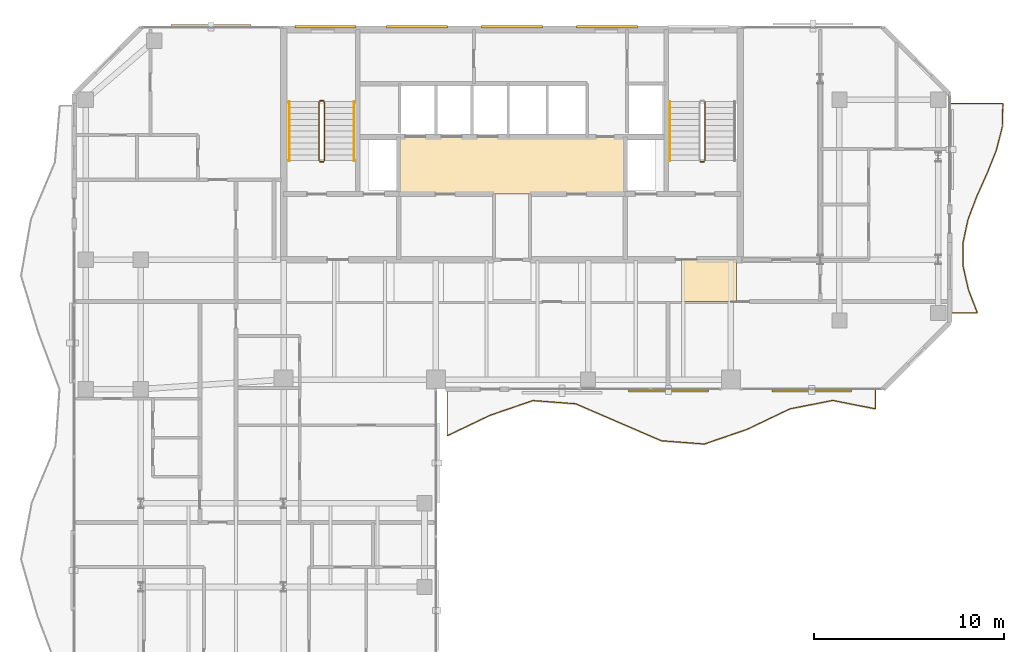
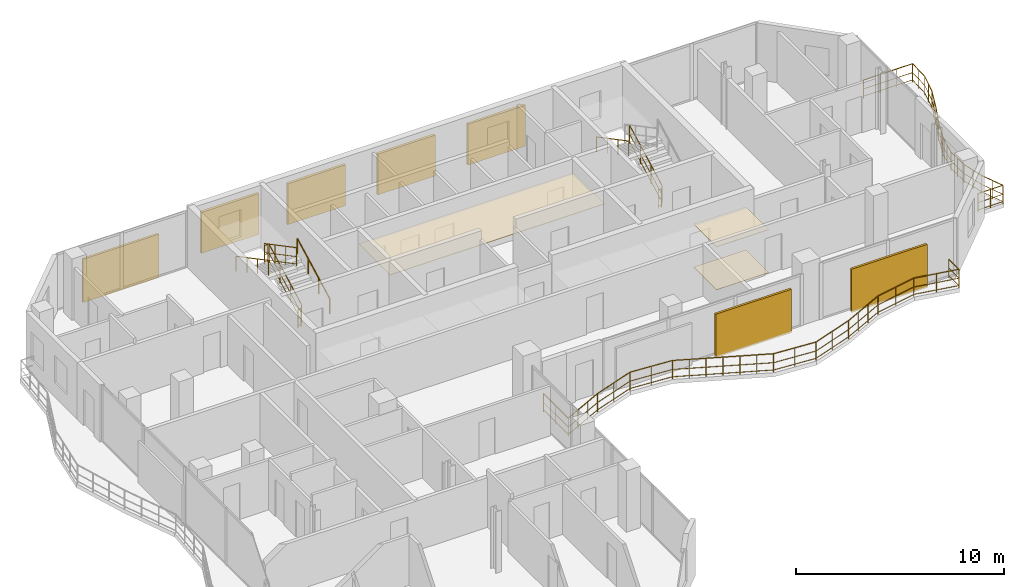
# One storey, part 22 of 23: 11 railings, 7 shading devices, 3 coverings.
"""IFC4 building model written with IfcOpenShell, lengths in metres."""

from ifc_helpers import new_model, si_unit, direction, frame, origin, origin_2d, place, context, subcontext, project, spatial, polyline, rectangle, circle, outline, extrude, material, layer, layer_set, type_object, element, save


model = new_model("IFC4")

# Units and contexts
model_context = context("Model", 3, precision=1e-05, world=origin(), true_north=direction((0.0, 1.0)))
body_context = subcontext(model_context, "Body", "Model", "MODEL_VIEW")
ifc_project = project(units=[si_unit("LENGTHUNIT", "METRE"), si_unit("AREAUNIT", "SQUARE_METRE"), si_unit("VOLUMEUNIT", "CUBIC_METRE"), si_unit("PLANEANGLEUNIT", "RADIAN"), si_unit("MASSUNIT", "GRAM", prefix="KILO")], contexts=[model_context])

# Site, building, storey
site_placement = place(None, origin())
site = spatial("IfcSite", under=ifc_project, at=site_placement, CompositionType="ELEMENT")
building_placement = place(site_placement, origin())
building = spatial("IfcBuilding", under=site, at=building_placement, Name="Catumbela Crestline Tower", CompositionType="ELEMENT")
storey_placement = place(building_placement, frame((0.0, 0.0, 168.6)))
storey = spatial("IfcBuildingStorey", under=building, at=storey_placement, Name="L43", CompositionType="ELEMENT", Elevation=168.6)

# Coverings
ifc_material_1 = material(Name="Mineral-fibre acoustic ceiling")
ifc_layer_1 = layer(ifc_material_1, 0.03, Name="Mineral-fibre acoustic ceiling")
ifc_layer_set_1 = layer_set([ifc_layer_1], Name="Mineral-fibre acoustic ceiling")
covering_type_1 = type_object("IfcCoveringType", Name="CC-AC", PredefinedType="CEILING", material=ifc_layer_set_1)
covering_1_placement = place(storey_placement, frame((0.0, 0.0, 2.65)))
element("IfcCovering", 1, at=covering_1_placement, inside=storey, type_object=covering_type_1, Name="L43 Lift Lobby Acoustic Ceiling", PredefinedType="CEILING", context=body_context, shape_type="SweptSolid", body=[
    extrude(outline(polyline([(22.05, 34.25), (33.95, 34.25), (33.95, 37.25), (22.05, 37.25), (22.05, 34.25)])), origin(), (0.0, 0.0, 1.0), 0.03),
])
covering_2_placement = place(storey_placement, frame((0.0, 0.0, 2.52)))
element("IfcCovering", 2, at=covering_2_placement, inside=storey, type_object=covering_type_1, Name="L43 Corridor Acoustic Ceiling Bay 8", PredefinedType="CEILING", context=body_context, shape_type="SweptSolid", body=[
    extrude(outline(polyline([(36.9, 28.6), (39.8, 28.6), (39.8, 30.8), (36.9, 30.8), (36.9, 28.6)])), origin(), (0.0, 0.0, 1.0), 0.03),
])
ifc_material_2 = material(Name="Angolan grey-ochre granite", Category="masonry")
ifc_layer_2 = layer(ifc_material_2, 0.025, Name="Angolan grey-ochre granite")
ifc_layer_set_2 = layer_set([ifc_layer_2], Name="Angolan grey-ochre granite")
covering_type_2 = type_object("IfcCoveringType", Name="CF-GR", PredefinedType="FLOORING", material=ifc_layer_set_2)
covering_3_placement = place(storey_placement, origin())
element("IfcCovering", 3, at=covering_3_placement, inside=storey, type_object=covering_type_2, Name="L43 Corridor Granite Flooring Bay 8", PredefinedType="FLOORING", context=body_context, shape_type="SweptSolid", body=[
    extrude(outline(polyline([(36.9, 28.6), (39.8, 28.6), (39.8, 30.8), (36.9, 30.8), (36.9, 28.6)])), origin(), (0.0, 0.0, 1.0), 0.025),
])

# Railings
ifc_material_3 = material(Name="Stainless steel EN 1.4401", Category="steel")
railing_type_1 = type_object("IfcRailingType", Name="RB-1100", PredefinedType="BALUSTRADE", material=ifc_material_3)
railing_1_placement = place(storey_placement, frame((24.6, 23.94, 0.0)))
element("IfcRailing", 4, at=railing_1_placement, inside=storey, type_object=railing_type_1, Name="L43 Private Wave Balcony Balustrade 1", PredefinedType="BALUSTRADE", context=body_context, shape_type="SweptSolid", body=[
    extrude(circle(Radius=0.024, at=origin_2d()), frame((0.0, 0.0, 1.076), z_axis=(0.0, -1.0, 0.0), x_axis=(1.0, 0.0, 0.0)), (0.0, 0.0, 1.0), 2.3853),
    extrude(circle(Radius=0.0156, at=origin_2d()), frame((0.0, 0.0, 0.55), z_axis=(0.0, -1.0, 0.0), x_axis=(1.0, 0.0, 0.0)), (0.0, 0.0, 1.0), 2.3853),
    extrude(circle(Radius=0.0156, at=origin_2d()), frame((0.0, 0.0, 0.12), z_axis=(0.0, -1.0, 0.0), x_axis=(1.0, 0.0, 0.0)), (0.0, 0.0, 1.0), 2.3853),
    extrude(circle(Radius=0.024, at=origin_2d()), frame((0.0, -2.3853, 1.076), z_axis=(0.902132186045, 0.431459753513, 0.0), x_axis=(-0.431459753513, 0.902132186045, 0.0)), (0.0, 0.0, 1.0), 2.4941),
    extrude(circle(Radius=0.0156, at=origin_2d()), frame((0.0, -2.3853, 0.55), z_axis=(0.902132186045, 0.431459753513, 0.0), x_axis=(-0.431459753513, 0.902132186045, 0.0)), (0.0, 0.0, 1.0), 2.4941),
    extrude(circle(Radius=0.0156, at=origin_2d()), frame((0.0, -2.3853, 0.12), z_axis=(0.902132186045, 0.431459753513, 0.0), x_axis=(-0.431459753513, 0.902132186045, 0.0)), (0.0, 0.0, 1.0), 2.4941),
    extrude(circle(Radius=0.024, at=origin_2d()), frame((2.25, -1.3092, 1.076), z_axis=(0.946065665735, 0.323974931311, 0.0), x_axis=(-0.323974931311, 0.946065665735, 0.0)), (0.0, 0.0, 1.0), 2.3783),
    extrude(circle(Radius=0.0156, at=origin_2d()), frame((2.25, -1.3092, 0.55), z_axis=(0.946065665735, 0.323974931311, 0.0), x_axis=(-0.323974931311, 0.946065665735, 0.0)), (0.0, 0.0, 1.0), 2.3783),
    extrude(circle(Radius=0.0156, at=origin_2d()), frame((2.25, -1.3092, 0.12), z_axis=(0.946065665735, 0.323974931311, 0.0), x_axis=(-0.323974931311, 0.946065665735, 0.0)), (0.0, 0.0, 1.0), 2.3783),
    extrude(circle(Radius=0.024, at=origin_2d()), frame((4.5, -0.5387, 1.076), z_axis=(0.997141170455, -0.075561142028, 0.0), x_axis=(0.075561142028, 0.997141170455, 0.0)), (0.0, 0.0, 1.0), 2.2565),
    extrude(circle(Radius=0.0156, at=origin_2d()), frame((4.5, -0.5387, 0.55), z_axis=(0.997141170455, -0.075561142028, 0.0), x_axis=(0.075561142028, 0.997141170455, 0.0)), (0.0, 0.0, 1.0), 2.2565),
    extrude(circle(Radius=0.0156, at=origin_2d()), frame((4.5, -0.5387, 0.12), z_axis=(0.997141170455, -0.075561142028, 0.0), x_axis=(0.075561142028, 0.997141170455, 0.0)), (0.0, 0.0, 1.0), 2.2565),
    extrude(circle(Radius=0.024, at=origin_2d()), frame((6.75, -0.7092, 1.076), z_axis=(0.918179780553, -0.396163969316, 0.0), x_axis=(0.396163969316, 0.918179780553, 0.0)), (0.0, 0.0, 1.0), 2.4505),
    extrude(circle(Radius=0.0156, at=origin_2d()), frame((6.75, -0.7092, 0.55), z_axis=(0.918179780553, -0.396163969316, 0.0), x_axis=(0.396163969316, 0.918179780553, 0.0)), (0.0, 0.0, 1.0), 2.4505),
    extrude(circle(Radius=0.0156, at=origin_2d()), frame((6.75, -0.7092, 0.12), z_axis=(0.918179780553, -0.396163969316, 0.0), x_axis=(0.396163969316, 0.918179780553, 0.0)), (0.0, 0.0, 1.0), 2.4505),
    extrude(circle(Radius=0.024, at=origin_2d()), frame((9.0, -1.68, 1.076), z_axis=(0.918179780553, -0.396163969316, 0.0), x_axis=(0.396163969316, 0.918179780553, 0.0)), (0.0, 0.0, 1.0), 2.4505),
    extrude(circle(Radius=0.0156, at=origin_2d()), frame((9.0, -1.68, 0.55), z_axis=(0.918179780553, -0.396163969316, 0.0), x_axis=(0.396163969316, 0.918179780553, 0.0)), (0.0, 0.0, 1.0), 2.4505),
    extrude(circle(Radius=0.0156, at=origin_2d()), frame((9.0, -1.68, 0.12), z_axis=(0.918179780553, -0.396163969316, 0.0), x_axis=(0.396163969316, 0.918179780553, 0.0)), (0.0, 0.0, 1.0), 2.4505),
    extrude(circle(Radius=0.024, at=origin_2d()), frame((11.25, -2.6508, 1.076), z_axis=(0.997141170455, -0.075561142028, 0.0), x_axis=(0.075561142028, 0.997141170455, 0.0)), (0.0, 0.0, 1.0), 2.2565),
    extrude(circle(Radius=0.0156, at=origin_2d()), frame((11.25, -2.6508, 0.55), z_axis=(0.997141170455, -0.075561142028, 0.0), x_axis=(0.075561142028, 0.997141170455, 0.0)), (0.0, 0.0, 1.0), 2.2565),
    extrude(circle(Radius=0.0156, at=origin_2d()), frame((11.25, -2.6508, 0.12), z_axis=(0.997141170455, -0.075561142028, 0.0), x_axis=(0.075561142028, 0.997141170455, 0.0)), (0.0, 0.0, 1.0), 2.2565),
    extrude(circle(Radius=0.024, at=origin_2d()), frame((13.5, -2.8213, 1.076), z_axis=(0.946065665735, 0.323974931311, 0.0), x_axis=(-0.323974931311, 0.946065665735, 0.0)), (0.0, 0.0, 1.0), 2.3783),
    extrude(circle(Radius=0.0156, at=origin_2d()), frame((13.5, -2.8213, 0.55), z_axis=(0.946065665735, 0.323974931311, 0.0), x_axis=(-0.323974931311, 0.946065665735, 0.0)), (0.0, 0.0, 1.0), 2.3783),
    extrude(circle(Radius=0.0156, at=origin_2d()), frame((13.5, -2.8213, 0.12), z_axis=(0.946065665735, 0.323974931311, 0.0), x_axis=(-0.323974931311, 0.946065665735, 0.0)), (0.0, 0.0, 1.0), 2.3783),
    extrude(circle(Radius=0.024, at=origin_2d()), frame((15.75, -2.0508, 1.076), z_axis=(0.902132186045, 0.431459753513, 0.0), x_axis=(-0.431459753513, 0.902132186045, 0.0)), (0.0, 0.0, 1.0), 2.4941),
    extrude(circle(Radius=0.0156, at=origin_2d()), frame((15.75, -2.0508, 0.55), z_axis=(0.902132186045, 0.431459753513, 0.0), x_axis=(-0.431459753513, 0.902132186045, 0.0)), (0.0, 0.0, 1.0), 2.4941),
    extrude(circle(Radius=0.0156, at=origin_2d()), frame((15.75, -2.0508, 0.12), z_axis=(0.902132186045, 0.431459753513, 0.0), x_axis=(-0.431459753513, 0.902132186045, 0.0)), (0.0, 0.0, 1.0), 2.4941),
    extrude(circle(Radius=0.024, at=origin_2d()), frame((18.0, -0.9747, 1.076), z_axis=(0.981022553047, 0.193893657484, 0.0), x_axis=(-0.193893657484, 0.981022553047, 0.0)), (0.0, 0.0, 1.0), 2.2935),
    extrude(circle(Radius=0.0156, at=origin_2d()), frame((18.0, -0.9747, 0.55), z_axis=(0.981022553047, 0.193893657484, 0.0), x_axis=(-0.193893657484, 0.981022553047, 0.0)), (0.0, 0.0, 1.0), 2.2935),
    extrude(circle(Radius=0.0156, at=origin_2d()), frame((18.0, -0.9747, 0.12), z_axis=(0.981022553047, 0.193893657484, 0.0), x_axis=(-0.193893657484, 0.981022553047, 0.0)), (0.0, 0.0, 1.0), 2.2935),
    extrude(circle(Radius=0.024, at=origin_2d()), frame((20.25, -0.53, 1.076), z_axis=(0.981022553047, -0.193893657484, 0.0), x_axis=(0.193893657484, 0.981022553047, 0.0)), (0.0, 0.0, 1.0), 2.2935),
    extrude(circle(Radius=0.0156, at=origin_2d()), frame((20.25, -0.53, 0.55), z_axis=(0.981022553047, -0.193893657484, 0.0), x_axis=(0.193893657484, 0.981022553047, 0.0)), (0.0, 0.0, 1.0), 2.2935),
    extrude(circle(Radius=0.0156, at=origin_2d()), frame((20.25, -0.53, 0.12), z_axis=(0.981022553047, -0.193893657484, 0.0), x_axis=(0.193893657484, 0.981022553047, 0.0)), (0.0, 0.0, 1.0), 2.2935),
    extrude(circle(Radius=0.024, at=origin_2d()), frame((22.5, -0.9747, 1.076), z_axis=(0.0, 1.0, 0.0), x_axis=(-1.0, 0.0, 0.0)), (0.0, 0.0, 1.0), 0.9747),
    extrude(circle(Radius=0.0156, at=origin_2d()), frame((22.5, -0.9747, 0.55), z_axis=(0.0, 1.0, 0.0), x_axis=(-1.0, 0.0, 0.0)), (0.0, 0.0, 1.0), 0.9747),
    extrude(circle(Radius=0.0156, at=origin_2d()), frame((22.5, -0.9747, 0.12), z_axis=(0.0, 1.0, 0.0), x_axis=(-1.0, 0.0, 0.0)), (0.0, 0.0, 1.0), 0.9747),
    extrude(circle(Radius=0.021, at=origin_2d()), origin(), (0.0, 0.0, 1.0), 1.052),
    extrude(circle(Radius=0.021, at=origin_2d()), frame((0.0, -1.1927, 0.0)), (0.0, 0.0, 1.0), 1.052),
    extrude(circle(Radius=0.021, at=origin_2d()), frame((0.0, -2.3853, 0.0)), (0.0, 0.0, 1.0), 1.052),
    extrude(circle(Radius=0.021, at=origin_2d()), frame((0.75, -2.0266, 0.0)), (0.0, 0.0, 1.0), 1.052),
    extrude(circle(Radius=0.021, at=origin_2d()), frame((1.5, -1.6679, 0.0)), (0.0, 0.0, 1.0), 1.052),
    extrude(circle(Radius=0.021, at=origin_2d()), frame((2.25, -1.3092, 0.0)), (0.0, 0.0, 1.0), 1.052),
    extrude(circle(Radius=0.021, at=origin_2d()), frame((3.375, -0.924, 0.0)), (0.0, 0.0, 1.0), 1.052),
    extrude(circle(Radius=0.021, at=origin_2d()), frame((4.5, -0.5387, 0.0)), (0.0, 0.0, 1.0), 1.052),
    extrude(circle(Radius=0.021, at=origin_2d()), frame((5.625, -0.624, 0.0)), (0.0, 0.0, 1.0), 1.052),
    extrude(circle(Radius=0.021, at=origin_2d()), frame((6.75, -0.7092, 0.0)), (0.0, 0.0, 1.0), 1.052),
    extrude(circle(Radius=0.021, at=origin_2d()), frame((7.5, -1.0328, 0.0)), (0.0, 0.0, 1.0), 1.052),
    extrude(circle(Radius=0.021, at=origin_2d()), frame((8.25, -1.3564, 0.0)), (0.0, 0.0, 1.0), 1.052),
    extrude(circle(Radius=0.021, at=origin_2d()), frame((9.0, -1.68, 0.0)), (0.0, 0.0, 1.0), 1.052),
    extrude(circle(Radius=0.021, at=origin_2d()), frame((9.75, -2.0036, 0.0)), (0.0, 0.0, 1.0), 1.052),
    extrude(circle(Radius=0.021, at=origin_2d()), frame((10.5, -2.3272, 0.0)), (0.0, 0.0, 1.0), 1.052),
    extrude(circle(Radius=0.021, at=origin_2d()), frame((11.25, -2.6508, 0.0)), (0.0, 0.0, 1.0), 1.052),
    extrude(circle(Radius=0.021, at=origin_2d()), frame((12.375, -2.7361, 0.0)), (0.0, 0.0, 1.0), 1.052),
    extrude(circle(Radius=0.021, at=origin_2d()), frame((13.5, -2.8213, 0.0)), (0.0, 0.0, 1.0), 1.052),
    extrude(circle(Radius=0.021, at=origin_2d()), frame((14.625, -2.4361, 0.0)), (0.0, 0.0, 1.0), 1.052),
    extrude(circle(Radius=0.021, at=origin_2d()), frame((15.75, -2.0508, 0.0)), (0.0, 0.0, 1.0), 1.052),
    extrude(circle(Radius=0.021, at=origin_2d()), frame((16.5, -1.6921, 0.0)), (0.0, 0.0, 1.0), 1.052),
    extrude(circle(Radius=0.021, at=origin_2d()), frame((17.25, -1.3334, 0.0)), (0.0, 0.0, 1.0), 1.052),
    extrude(circle(Radius=0.021, at=origin_2d()), frame((18.0, -0.9747, 0.0)), (0.0, 0.0, 1.0), 1.052),
    extrude(circle(Radius=0.021, at=origin_2d()), frame((19.125, -0.7524, 0.0)), (0.0, 0.0, 1.0), 1.052),
    extrude(circle(Radius=0.021, at=origin_2d()), frame((20.25, -0.53, 0.0)), (0.0, 0.0, 1.0), 1.052),
    extrude(circle(Radius=0.021, at=origin_2d()), frame((21.375, -0.7524, 0.0)), (0.0, 0.0, 1.0), 1.052),
    extrude(circle(Radius=0.021, at=origin_2d()), frame((22.5, -0.9747, 0.0)), (0.0, 0.0, 1.0), 1.052),
    extrude(circle(Radius=0.021, at=origin_2d()), frame((22.5, 0.0, 0.0)), (0.0, 0.0, 1.0), 1.052),
])
railing_2_placement = place(storey_placement, frame((51.06, 28.0, 0.0)))
element("IfcRailing", 5, at=railing_2_placement, inside=storey, type_object=railing_type_1, Name="L43 Private Wave Balcony Balustrade 2", PredefinedType="BALUSTRADE", context=body_context, shape_type="SweptSolid", body=[
    extrude(circle(Radius=0.024, at=origin_2d()), frame((0.0, 0.0, 1.076), z_axis=(1.0, 0.0, 0.0), x_axis=(0.0, 1.0, 0.0)), (0.0, 0.0, 1.0), 1.3902),
    extrude(circle(Radius=0.0156, at=origin_2d()), frame((0.0, 0.0, 0.55), z_axis=(1.0, 0.0, 0.0), x_axis=(0.0, 1.0, 0.0)), (0.0, 0.0, 1.0), 1.3902),
    extrude(circle(Radius=0.0156, at=origin_2d()), frame((0.0, 0.0, 0.12), z_axis=(1.0, 0.0, 0.0), x_axis=(0.0, 1.0, 0.0)), (0.0, 0.0, 1.0), 1.3902),
    extrude(circle(Radius=0.024, at=origin_2d()), frame((1.3902, 0.0, 1.076), z_axis=(-0.360589425238, 0.932724646617, 0.0), x_axis=(-0.932724646617, -0.360589425238, 0.0)), (0.0, 0.0, 1.0), 1.3104),
    extrude(circle(Radius=0.0156, at=origin_2d()), frame((1.3902, 0.0, 0.55), z_axis=(-0.360589425238, 0.932724646617, 0.0), x_axis=(-0.932724646617, -0.360589425238, 0.0)), (0.0, 0.0, 1.0), 1.3104),
    extrude(circle(Radius=0.0156, at=origin_2d()), frame((1.3902, 0.0, 0.12), z_axis=(-0.360589425238, 0.932724646617, 0.0), x_axis=(-0.932724646617, -0.360589425238, 0.0)), (0.0, 0.0, 1.0), 1.3104),
    extrude(circle(Radius=0.024, at=origin_2d()), frame((0.9177, 1.2222, 1.076), z_axis=(-0.221110639071, 0.975248729961, 0.0), x_axis=(-0.975248729961, -0.221110639071, 0.0)), (0.0, 0.0, 1.0), 1.2532),
    extrude(circle(Radius=0.0156, at=origin_2d()), frame((0.9177, 1.2222, 0.55), z_axis=(-0.221110639071, 0.975248729961, 0.0), x_axis=(-0.975248729961, -0.221110639071, 0.0)), (0.0, 0.0, 1.0), 1.2532),
    extrude(circle(Radius=0.0156, at=origin_2d()), frame((0.9177, 1.2222, 0.12), z_axis=(-0.221110639071, 0.975248729961, 0.0), x_axis=(-0.975248729961, -0.221110639071, 0.0)), (0.0, 0.0, 1.0), 1.2532),
    extrude(circle(Radius=0.024, at=origin_2d()), frame((0.6406, 2.4444, 1.076), z_axis=(-0.008590045489, 0.999963104879, 0.0), x_axis=(-0.999963104879, -0.008590045489, 0.0)), (0.0, 0.0, 1.0), 1.2223),
    extrude(circle(Radius=0.0156, at=origin_2d()), frame((0.6406, 2.4444, 0.55), z_axis=(-0.008590045489, 0.999963104879, 0.0), x_axis=(-0.999963104879, -0.008590045489, 0.0)), (0.0, 0.0, 1.0), 1.2223),
    extrude(circle(Radius=0.0156, at=origin_2d()), frame((0.6406, 2.4444, 0.12), z_axis=(-0.008590045489, 0.999963104879, 0.0), x_axis=(-0.999963104879, -0.008590045489, 0.0)), (0.0, 0.0, 1.0), 1.2223),
    extrude(circle(Radius=0.024, at=origin_2d()), frame((0.6301, 3.6667, 1.076), z_axis=(0.207079409578, 0.978324137558, 0.0), x_axis=(-0.978324137558, 0.207079409578, 0.0)), (0.0, 0.0, 1.0), 1.2493),
    extrude(circle(Radius=0.0156, at=origin_2d()), frame((0.6301, 3.6667, 0.55), z_axis=(0.207079409578, 0.978324137558, 0.0), x_axis=(-0.978324137558, 0.207079409578, 0.0)), (0.0, 0.0, 1.0), 1.2493),
    extrude(circle(Radius=0.0156, at=origin_2d()), frame((0.6301, 3.6667, 0.12), z_axis=(0.207079409578, 0.978324137558, 0.0), x_axis=(-0.978324137558, 0.207079409578, 0.0)), (0.0, 0.0, 1.0), 1.2493),
    extrude(circle(Radius=0.024, at=origin_2d()), frame((0.8888, 4.8889, 1.076), z_axis=(0.353320187864, 0.935502455821, 0.0), x_axis=(-0.935502455821, 0.353320187864, 0.0)), (0.0, 0.0, 1.0), 1.3065),
    extrude(circle(Radius=0.0156, at=origin_2d()), frame((0.8888, 4.8889, 0.55), z_axis=(0.353320187864, 0.935502455821, 0.0), x_axis=(-0.935502455821, 0.353320187864, 0.0)), (0.0, 0.0, 1.0), 1.3065),
    extrude(circle(Radius=0.0156, at=origin_2d()), frame((0.8888, 4.8889, 0.12), z_axis=(0.353320187864, 0.935502455821, 0.0), x_axis=(-0.935502455821, 0.353320187864, 0.0)), (0.0, 0.0, 1.0), 1.3065),
    extrude(circle(Radius=0.024, at=origin_2d()), frame((1.3504, 6.1111, 1.076), z_axis=(0.407946686681, 0.913005750708, 0.0), x_axis=(-0.913005750708, 0.407946686681, 0.0)), (0.0, 0.0, 1.0), 1.3387),
    extrude(circle(Radius=0.0156, at=origin_2d()), frame((1.3504, 6.1111, 0.55), z_axis=(0.407946686681, 0.913005750708, 0.0), x_axis=(-0.913005750708, 0.407946686681, 0.0)), (0.0, 0.0, 1.0), 1.3387),
    extrude(circle(Radius=0.0156, at=origin_2d()), frame((1.3504, 6.1111, 0.12), z_axis=(0.407946686681, 0.913005750708, 0.0), x_axis=(-0.913005750708, 0.407946686681, 0.0)), (0.0, 0.0, 1.0), 1.3387),
    extrude(circle(Radius=0.024, at=origin_2d()), frame((1.8965, 7.3333, 1.076), z_axis=(0.372490025176, 0.928036196031, 0.0), x_axis=(-0.928036196031, 0.372490025176, 0.0)), (0.0, 0.0, 1.0), 1.3171),
    extrude(circle(Radius=0.0156, at=origin_2d()), frame((1.8965, 7.3333, 0.55), z_axis=(0.372490025176, 0.928036196031, 0.0), x_axis=(-0.928036196031, 0.372490025176, 0.0)), (0.0, 0.0, 1.0), 1.3171),
    extrude(circle(Radius=0.0156, at=origin_2d()), frame((1.8965, 7.3333, 0.12), z_axis=(0.372490025176, 0.928036196031, 0.0), x_axis=(-0.928036196031, 0.372490025176, 0.0)), (0.0, 0.0, 1.0), 1.3171),
    extrude(circle(Radius=0.024, at=origin_2d()), frame((2.3871, 8.5556, 1.076), z_axis=(0.245334114458, 0.969438586133, 0.0), x_axis=(-0.969438586133, 0.245334114458, 0.0)), (0.0, 0.0, 1.0), 1.2607),
    extrude(circle(Radius=0.0156, at=origin_2d()), frame((2.3871, 8.5556, 0.55), z_axis=(0.245334114458, 0.969438586133, 0.0), x_axis=(-0.969438586133, 0.245334114458, 0.0)), (0.0, 0.0, 1.0), 1.2607),
    extrude(circle(Radius=0.0156, at=origin_2d()), frame((2.3871, 8.5556, 0.12), z_axis=(0.245334114458, 0.969438586133, 0.0), x_axis=(-0.969438586133, 0.245334114458, 0.0)), (0.0, 0.0, 1.0), 1.2607),
    extrude(circle(Radius=0.024, at=origin_2d()), frame((2.6964, 9.7778, 1.076), z_axis=(0.027481026125, 0.999622325282, 0.0), x_axis=(-0.999622325282, 0.027481026125, 0.0)), (0.0, 0.0, 1.0), 1.2227),
    extrude(circle(Radius=0.0156, at=origin_2d()), frame((2.6964, 9.7778, 0.55), z_axis=(0.027481026125, 0.999622325282, 0.0), x_axis=(-0.999622325282, 0.027481026125, 0.0)), (0.0, 0.0, 1.0), 1.2227),
    extrude(circle(Radius=0.0156, at=origin_2d()), frame((2.6964, 9.7778, 0.12), z_axis=(0.027481026125, 0.999622325282, 0.0), x_axis=(-0.999622325282, 0.027481026125, 0.0)), (0.0, 0.0, 1.0), 1.2227),
    extrude(circle(Radius=0.024, at=origin_2d()), frame((2.73, 11.0, 1.076), z_axis=(-1.0, 0.0, 0.0), x_axis=(0.0, -1.0, 0.0)), (0.0, 0.0, 1.0), 2.73),
    extrude(circle(Radius=0.0156, at=origin_2d()), frame((2.73, 11.0, 0.55), z_axis=(-1.0, 0.0, 0.0), x_axis=(0.0, -1.0, 0.0)), (0.0, 0.0, 1.0), 2.73),
    extrude(circle(Radius=0.0156, at=origin_2d()), frame((2.73, 11.0, 0.12), z_axis=(-1.0, 0.0, 0.0), x_axis=(0.0, -1.0, 0.0)), (0.0, 0.0, 1.0), 2.73),
    extrude(circle(Radius=0.021, at=origin_2d()), origin(), (0.0, 0.0, 1.0), 1.052),
    extrude(circle(Radius=0.021, at=origin_2d()), frame((0.6951, 0.0, 0.0)), (0.0, 0.0, 1.0), 1.052),
    extrude(circle(Radius=0.021, at=origin_2d()), frame((1.3902, 0.0, 0.0)), (0.0, 0.0, 1.0), 1.052),
    extrude(circle(Radius=0.021, at=origin_2d()), frame((1.1539, 0.6111, 0.0)), (0.0, 0.0, 1.0), 1.052),
    extrude(circle(Radius=0.021, at=origin_2d()), frame((0.9177, 1.2222, 0.0)), (0.0, 0.0, 1.0), 1.052),
    extrude(circle(Radius=0.021, at=origin_2d()), frame((0.7791, 1.8333, 0.0)), (0.0, 0.0, 1.0), 1.052),
    extrude(circle(Radius=0.021, at=origin_2d()), frame((0.6406, 2.4444, 0.0)), (0.0, 0.0, 1.0), 1.052),
    extrude(circle(Radius=0.021, at=origin_2d()), frame((0.6353, 3.0556, 0.0)), (0.0, 0.0, 1.0), 1.052),
    extrude(circle(Radius=0.021, at=origin_2d()), frame((0.6301, 3.6667, 0.0)), (0.0, 0.0, 1.0), 1.052),
    extrude(circle(Radius=0.021, at=origin_2d()), frame((0.7594, 4.2778, 0.0)), (0.0, 0.0, 1.0), 1.052),
    extrude(circle(Radius=0.021, at=origin_2d()), frame((0.8888, 4.8889, 0.0)), (0.0, 0.0, 1.0), 1.052),
    extrude(circle(Radius=0.021, at=origin_2d()), frame((1.1196, 5.5, 0.0)), (0.0, 0.0, 1.0), 1.052),
    extrude(circle(Radius=0.021, at=origin_2d()), frame((1.3504, 6.1111, 0.0)), (0.0, 0.0, 1.0), 1.052),
    extrude(circle(Radius=0.021, at=origin_2d()), frame((1.6234, 6.7222, 0.0)), (0.0, 0.0, 1.0), 1.052),
    extrude(circle(Radius=0.021, at=origin_2d()), frame((1.8965, 7.3333, 0.0)), (0.0, 0.0, 1.0), 1.052),
    extrude(circle(Radius=0.021, at=origin_2d()), frame((2.1418, 7.9444, 0.0)), (0.0, 0.0, 1.0), 1.052),
    extrude(circle(Radius=0.021, at=origin_2d()), frame((2.3871, 8.5556, 0.0)), (0.0, 0.0, 1.0), 1.052),
    extrude(circle(Radius=0.021, at=origin_2d()), frame((2.5417, 9.1667, 0.0)), (0.0, 0.0, 1.0), 1.052),
    extrude(circle(Radius=0.021, at=origin_2d()), frame((2.6964, 9.7778, 0.0)), (0.0, 0.0, 1.0), 1.052),
    extrude(circle(Radius=0.021, at=origin_2d()), frame((2.7132, 10.3889, 0.0)), (0.0, 0.0, 1.0), 1.052),
    extrude(circle(Radius=0.021, at=origin_2d()), frame((2.73, 11.0, 0.0)), (0.0, 0.0, 1.0), 1.052),
    extrude(circle(Radius=0.021, at=origin_2d()), frame((1.82, 11.0, 0.0)), (0.0, 0.0, 1.0), 1.052),
    extrude(circle(Radius=0.021, at=origin_2d()), frame((0.91, 11.0, 0.0)), (0.0, 0.0, 1.0), 1.052),
    extrude(circle(Radius=0.021, at=origin_2d()), frame((0.0, 11.0, 0.0)), (0.0, 0.0, 1.0), 1.052),
])
railing_type_2 = type_object("IfcRailingType", Name="RG-1100", PredefinedType="GUARDRAIL", material=ifc_material_3)
railing_3_placement = place(storey_placement, frame((18.14, 36.0, 0.1636)))
element("IfcRailing", 6, at=railing_3_placement, inside=storey, type_object=railing_type_2, Name="L43 ST-01 stair guard 1", PredefinedType="GUARDRAIL", context=body_context, shape_type="SweptSolid", body=[
    extrude(circle(Radius=0.024, at=origin_2d()), frame((0.0, 0.0, 1.076), z_axis=(0.0, 0.884350731049, 0.466823076222), x_axis=(-1.0, 0.0, 0.0)), (0.0, 0.0, 1.0), 3.5054),
    extrude(circle(Radius=0.0156, at=origin_2d()), frame((0.0, 0.0, 0.55), z_axis=(0.0, 0.884350731049, 0.466823076222), x_axis=(-1.0, 0.0, 0.0)), (0.0, 0.0, 1.0), 3.5054),
    extrude(circle(Radius=0.0156, at=origin_2d()), frame((0.0, 0.0, 0.12), z_axis=(0.0, 0.884350731049, 0.466823076222), x_axis=(-1.0, 0.0, 0.0)), (0.0, 0.0, 1.0), 3.5054),
    extrude(circle(Radius=0.021, at=origin_2d()), origin(), (0.0, 0.0, 1.0), 1.052),
    extrude(circle(Radius=0.021, at=origin_2d()), frame((0.0, 1.0333, 0.5455)), (0.0, 0.0, 1.0), 1.052),
    extrude(circle(Radius=0.021, at=origin_2d()), frame((0.0, 2.0667, 1.0909)), (0.0, 0.0, 1.0), 1.052),
    extrude(circle(Radius=0.021, at=origin_2d()), frame((0.0, 3.1, 1.6364)), (0.0, 0.0, 1.0), 1.052),
])
railing_4_placement = place(storey_placement, frame((18.09, 39.15, 1.8)))
element("IfcRailing", 7, at=railing_4_placement, inside=storey, type_object=railing_type_2, Name="L43 ST-01 stair guard 2", PredefinedType="GUARDRAIL", context=body_context, shape_type="SweptSolid", body=[
    extrude(circle(Radius=0.024, at=origin_2d()), frame((0.0, 0.0, 1.076), z_axis=(-1.0, 0.0, 0.0), x_axis=(0.0, -1.0, 0.0)), (0.0, 0.0, 1.0), 0.18),
    extrude(circle(Radius=0.0156, at=origin_2d()), frame((0.0, 0.0, 0.55), z_axis=(-1.0, 0.0, 0.0), x_axis=(0.0, -1.0, 0.0)), (0.0, 0.0, 1.0), 0.18),
    extrude(circle(Radius=0.0156, at=origin_2d()), frame((0.0, 0.0, 0.12), z_axis=(-1.0, 0.0, 0.0), x_axis=(0.0, -1.0, 0.0)), (0.0, 0.0, 1.0), 0.18),
    extrude(circle(Radius=0.021, at=origin_2d()), origin(), (0.0, 0.0, 1.0), 1.052),
    extrude(circle(Radius=0.021, at=origin_2d()), frame((-0.18, 0.0, 0.0)), (0.0, 0.0, 1.0), 1.052),
])
railing_5_placement = place(storey_placement, frame((17.86, 39.1, 1.9636)))
element("IfcRailing", 8, at=railing_5_placement, inside=storey, type_object=railing_type_2, Name="L43 ST-01 stair guard 3", PredefinedType="GUARDRAIL", context=body_context, shape_type="SweptSolid", body=[
    extrude(circle(Radius=0.024, at=origin_2d()), frame((0.0, 0.0, 1.076), z_axis=(0.0, -0.884350731049, 0.466823076222), x_axis=(1.0, 0.0, 0.0)), (0.0, 0.0, 1.0), 3.5054),
    extrude(circle(Radius=0.0156, at=origin_2d()), frame((0.0, 0.0, 0.55), z_axis=(0.0, -0.884350731049, 0.466823076222), x_axis=(1.0, 0.0, 0.0)), (0.0, 0.0, 1.0), 3.5054),
    extrude(circle(Radius=0.0156, at=origin_2d()), frame((0.0, 0.0, 0.12), z_axis=(0.0, -0.884350731049, 0.466823076222), x_axis=(1.0, 0.0, 0.0)), (0.0, 0.0, 1.0), 3.5054),
    extrude(circle(Radius=0.021, at=origin_2d()), origin(), (0.0, 0.0, 1.0), 1.052),
    extrude(circle(Radius=0.021, at=origin_2d()), frame((0.0, -1.0333, 0.5455)), (0.0, 0.0, 1.0), 1.052),
    extrude(circle(Radius=0.021, at=origin_2d()), frame((0.0, -2.0667, 1.0909)), (0.0, 0.0, 1.0), 1.052),
    extrude(circle(Radius=0.021, at=origin_2d()), frame((0.0, -3.1, 1.6364)), (0.0, 0.0, 1.0), 1.052),
])
railing_6_placement = place(storey_placement, frame((18.09, 35.95, 0.0)))
element("IfcRailing", 9, at=railing_6_placement, inside=storey, type_object=railing_type_2, Name="L43 ST-01 stair guard 4", PredefinedType="GUARDRAIL", context=body_context, shape_type="SweptSolid", body=[
    extrude(circle(Radius=0.024, at=origin_2d()), frame((0.0, 0.0, 1.076), z_axis=(-1.0, 0.0, 0.0), x_axis=(0.0, -1.0, 0.0)), (0.0, 0.0, 1.0), 0.18),
    extrude(circle(Radius=0.0156, at=origin_2d()), frame((0.0, 0.0, 0.55), z_axis=(-1.0, 0.0, 0.0), x_axis=(0.0, -1.0, 0.0)), (0.0, 0.0, 1.0), 0.18),
    extrude(circle(Radius=0.0156, at=origin_2d()), frame((0.0, 0.0, 0.12), z_axis=(-1.0, 0.0, 0.0), x_axis=(0.0, -1.0, 0.0)), (0.0, 0.0, 1.0), 0.18),
    extrude(circle(Radius=0.021, at=origin_2d()), origin(), (0.0, 0.0, 1.0), 1.052),
    extrude(circle(Radius=0.021, at=origin_2d()), frame((-0.18, 0.0, 0.0)), (0.0, 0.0, 1.0), 1.052),
])
railing_7_placement = place(storey_placement, frame((38.14, 36.0, 0.1636)))
element("IfcRailing", 10, at=railing_7_placement, inside=storey, type_object=railing_type_2, Name="L43 ST-02 stair guard 1", PredefinedType="GUARDRAIL", context=body_context, shape_type="SweptSolid", body=[
    extrude(circle(Radius=0.024, at=origin_2d()), frame((0.0, 0.0, 1.076), z_axis=(0.0, 0.884350731049, 0.466823076222), x_axis=(-1.0, 0.0, 0.0)), (0.0, 0.0, 1.0), 3.5054),
    extrude(circle(Radius=0.0156, at=origin_2d()), frame((0.0, 0.0, 0.55), z_axis=(0.0, 0.884350731049, 0.466823076222), x_axis=(-1.0, 0.0, 0.0)), (0.0, 0.0, 1.0), 3.5054),
    extrude(circle(Radius=0.0156, at=origin_2d()), frame((0.0, 0.0, 0.12), z_axis=(0.0, 0.884350731049, 0.466823076222), x_axis=(-1.0, 0.0, 0.0)), (0.0, 0.0, 1.0), 3.5054),
    extrude(circle(Radius=0.021, at=origin_2d()), origin(), (0.0, 0.0, 1.0), 1.052),
    extrude(circle(Radius=0.021, at=origin_2d()), frame((0.0, 1.0333, 0.5455)), (0.0, 0.0, 1.0), 1.052),
    extrude(circle(Radius=0.021, at=origin_2d()), frame((0.0, 2.0667, 1.0909)), (0.0, 0.0, 1.0), 1.052),
    extrude(circle(Radius=0.021, at=origin_2d()), frame((0.0, 3.1, 1.6364)), (0.0, 0.0, 1.0), 1.052),
])
railing_8_placement = place(storey_placement, frame((38.09, 35.95, 0.0)))
element("IfcRailing", 11, at=railing_8_placement, inside=storey, type_object=railing_type_2, Name="L43 ST-02 stair guard 4", PredefinedType="GUARDRAIL", context=body_context, shape_type="SweptSolid", body=[
    extrude(circle(Radius=0.024, at=origin_2d()), frame((0.0, 0.0, 1.076), z_axis=(-1.0, 0.0, 0.0), x_axis=(0.0, -1.0, 0.0)), (0.0, 0.0, 1.0), 0.18),
    extrude(circle(Radius=0.0156, at=origin_2d()), frame((0.0, 0.0, 0.55), z_axis=(-1.0, 0.0, 0.0), x_axis=(0.0, -1.0, 0.0)), (0.0, 0.0, 1.0), 0.18),
    extrude(circle(Radius=0.0156, at=origin_2d()), frame((0.0, 0.0, 0.12), z_axis=(-1.0, 0.0, 0.0), x_axis=(0.0, -1.0, 0.0)), (0.0, 0.0, 1.0), 0.18),
    extrude(circle(Radius=0.021, at=origin_2d()), origin(), (0.0, 0.0, 1.0), 1.052),
    extrude(circle(Radius=0.021, at=origin_2d()), frame((-0.18, 0.0, 0.0)), (0.0, 0.0, 1.0), 1.052),
])
railing_type_3 = type_object("IfcRailingType", Name="RH-0900", PredefinedType="HANDRAIL", material=ifc_material_3)
railing_9_placement = place(storey_placement, frame((19.7, 36.0, 0.1636)))
element("IfcRailing", 12, at=railing_9_placement, inside=storey, type_object=railing_type_3, Name="L43 ST-01 stair handrail 1", PredefinedType="HANDRAIL", context=body_context, shape_type="SweptSolid", body=[
    extrude(circle(Radius=0.024, at=origin_2d()), frame((0.0, 0.0, 0.876), z_axis=(0.0, 0.884350731049, 0.466823076222), x_axis=(-1.0, 0.0, 0.0)), (0.0, 0.0, 1.0), 3.5054),
    extrude(circle(Radius=0.021, at=origin_2d()), origin(), (0.0, 0.0, 1.0), 0.852),
    extrude(circle(Radius=0.021, at=origin_2d()), frame((0.0, 1.0333, 0.5455)), (0.0, 0.0, 1.0), 0.852),
    extrude(circle(Radius=0.021, at=origin_2d()), frame((0.0, 2.0667, 1.0909)), (0.0, 0.0, 1.0), 0.852),
    extrude(circle(Radius=0.021, at=origin_2d()), frame((0.0, 3.1, 1.6364)), (0.0, 0.0, 1.0), 0.852),
])
for number, where, name in (
    (13, (16.3, 39.1, 1.9636), "L43 ST-01 stair handrail 2"),
    (14, (36.3, 39.1, 1.9636), "L43 ST-02 stair handrail 2"),
):
    element("IfcRailing", number, at=place(storey_placement, frame(where)), inside=storey, type_object=railing_type_3, Name=name, PredefinedType="HANDRAIL", context=body_context, shape_type="SweptSolid", body=[
        extrude(circle(Radius=0.024, at=origin_2d()), frame((0.0, 0.0, 0.876), z_axis=(0.0, -0.884350731049, 0.466823076222), x_axis=(1.0, 0.0, 0.0)), (0.0, 0.0, 1.0), 3.5054),
        extrude(circle(Radius=0.021, at=origin_2d()), origin(), (0.0, 0.0, 1.0), 0.852),
        extrude(circle(Radius=0.021, at=origin_2d()), frame((0.0, -1.0333, 0.5455)), (0.0, 0.0, 1.0), 0.852),
        extrude(circle(Radius=0.021, at=origin_2d()), frame((0.0, -2.0667, 1.0909)), (0.0, 0.0, 1.0), 0.852),
        extrude(circle(Radius=0.021, at=origin_2d()), frame((0.0, -3.1, 1.6364)), (0.0, 0.0, 1.0), 0.852),
    ])

# Shading devices
ifc_material_4 = material(Name="Extruded terracotta ceramic", Category="masonry")
shading_device_type_1 = type_object("IfcShadingDeviceType", Name="ST-180", PredefinedType="USERDEFINED", material=ifc_material_4)
shading_device_1_placement = place(storey_placement, frame((23.0, 43.04, 0.55), z_axis=(0.0, 0.0, 1.0), x_axis=(1.0, 0.0, 0.0)))
element("IfcShadingDevice", 15, at=shading_device_1_placement, inside=storey, type_object=shading_device_type_1, Name="L43 Rear Core Terracotta Brise-Soleil Screen 476", ObjectType="SCREEN", PredefinedType="USERDEFINED", context=body_context, shape_type="SweptSolid", body=[
    extrude(rectangle(XDim=3.2, YDim=0.14, at=origin_2d()), origin(), (0.0, 0.0, 1.0), 2.4),
])
for number, where, z_axis, x_axis, name in (
    (16, (36.2125, 23.901, -0.1), (0.0, 0.0, 1.0), (1.0, 0.0, 0.0), "L43 Perforated Terracotta Solar Screen 484 (180 mm)"),
    (17, (43.75, 23.901, -0.1), (0.0, 0.0, 1.0), (1.0, 0.0, 0.0), "L43 Perforated Terracotta Solar Screen 485 (180 mm)"),
    (18, (12.18, 43.099, -0.1), (0.0, 0.0, 1.0), (-1.0, 0.0, 0.0), "L43 Perforated Terracotta Solar Screen 488 (180 mm)"),
):
    element("IfcShadingDevice", number, at=place(storey_placement, frame(where, z_axis=z_axis, x_axis=x_axis)), inside=storey, type_object=shading_device_type_1, Name=name, ObjectType="SCREEN", PredefinedType="USERDEFINED", context=body_context, shape_type="SweptSolid", body=[
        extrude(rectangle(XDim=4.2, YDim=0.12, at=origin_2d()), origin(), (0.0, 0.0, 1.0), 2.55),
    ])
shading_device_type_2 = type_object("IfcShadingDeviceType", Name="ST-260", PredefinedType="USERDEFINED", material=ifc_material_4)
for number, where, z_axis, x_axis, name in (
    (19, (18.2, 43.04, 0.55), (0.0, 0.0, 1.0), (1.0, 0.0, 0.0), "L43 Rear Core Terracotta Brise-Soleil Screen 475"),
    (20, (33.0, 43.04, 0.55), (0.0, 0.0, 1.0), (1.0, 0.0, 0.0), "L43 Rear Core Terracotta Brise-Soleil Screen 478"),
):
    element("IfcShadingDevice", number, at=place(storey_placement, frame(where, z_axis=z_axis, x_axis=x_axis)), inside=storey, type_object=shading_device_type_2, Name=name, ObjectType="SCREEN", PredefinedType="USERDEFINED", context=body_context, shape_type="SweptSolid", body=[
        extrude(rectangle(XDim=3.2, YDim=0.14, at=origin_2d()), origin(), (0.0, 0.0, 1.0), 2.4),
    ])
shading_device_type_3 = type_object("IfcShadingDeviceType", Name="ST-340", PredefinedType="USERDEFINED", material=ifc_material_4)
shading_device_2_placement = place(storey_placement, frame((28.0, 43.04, 0.55), z_axis=(0.0, 0.0, 1.0), x_axis=(1.0, 0.0, 0.0)))
element("IfcShadingDevice", 21, at=shading_device_2_placement, inside=storey, type_object=shading_device_type_3, Name="L43 Rear Core Terracotta Brise-Soleil Screen 477", ObjectType="SCREEN", PredefinedType="USERDEFINED", context=body_context, shape_type="SweptSolid", body=[
    extrude(rectangle(XDim=3.2, YDim=0.14, at=origin_2d()), origin(), (0.0, 0.0, 1.0), 2.4),
])

save(model, "model.ifc")
